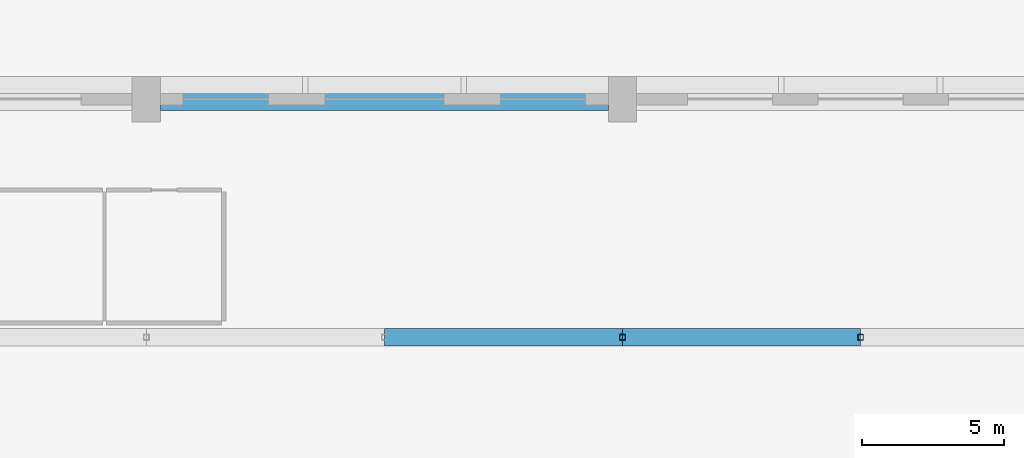
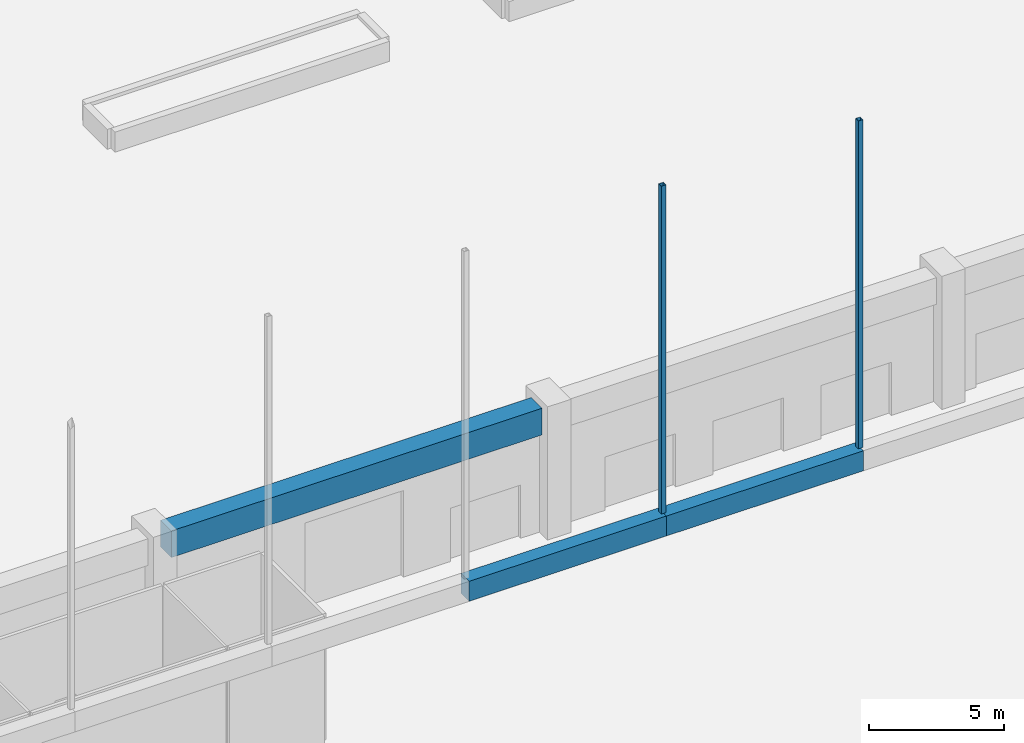
# One storey, part 62 of 210: 3 beams, 2 members.
"""IFC4 building model written with IfcOpenShell, lengths in metres."""

from ifc_helpers import new_model, si_unit, direction, frame, origin, origin_2d, place, context, subcontext, project, spatial, rectangle, hollow_rectangle, extrude, material, material_profile, profile_set, type_object, element, save


model = new_model("IFC4")

# Units and contexts
model_context = context("Model", 3, precision=1e-05, world=origin(), true_north=direction((0.0, 1.0)))
body_context = subcontext(model_context, "Body", "Model", "MODEL_VIEW")
ifc_project = project(units=[si_unit("LENGTHUNIT", "METRE"), si_unit("AREAUNIT", "SQUARE_METRE"), si_unit("VOLUMEUNIT", "CUBIC_METRE"), si_unit("PLANEANGLEUNIT", "RADIAN"), si_unit("MASSUNIT", "GRAM", prefix="KILO")], contexts=[model_context])

# Site, building, storey
site_placement = place(None, origin())
site = spatial("IfcSite", under=ifc_project, at=site_placement, CompositionType="ELEMENT")
building_placement = place(site_placement, origin())
building = spatial("IfcBuilding", under=site, at=building_placement, Name="Rain Tree Exposition and Congress Centre", CompositionType="ELEMENT")
storey_placement = place(building_placement, origin())
storey = spatial("IfcBuildingStorey", under=building, at=storey_placement, Name="L00", CompositionType="ELEMENT", Elevation=0.0)

# Beams
ifc_material_1 = material(Name="Precast concrete C50/60", Category="concrete")
ifc_material_profile_1 = material_profile(ifc_material_1, rectangle(XDim=0.60009765625, YDim=0.89990234375, at=origin_2d()), Name="RC 600x900")
ifc_profile_set_1 = profile_set([ifc_material_profile_1], Name="Precast concrete C50/60")
beam_type_1 = type_object("IfcBeamType", Name="Precast beam 600x900", PredefinedType="BEAM", material=ifc_profile_set_1)
beam_1_placement = place(storey_placement, frame((67.199951171875, 193.199951171875, 5.25), z_axis=(1.0, 0.0, 0.0), x_axis=(0.0, 1.0, 0.0)))
element("IfcBeam", 1, at=beam_1_placement, inside=storey, type_object=beam_type_1, Name="Gallery edge beam 30", PredefinedType="BEAM", context=body_context, shape_type="SweptSolid", body=[
    extrude(rectangle(XDim=0.60009765625, YDim=0.89990234375, at=origin_2d()), origin(), (0.0, 0.0, 1.0), 8.400146484375),
])
beam_2_placement = place(storey_placement, frame((75.60009765625, 193.199951171875, 5.25), z_axis=(1.0, 0.0, 0.0), x_axis=(0.0, 1.0, 0.0)))
element("IfcBeam", 2, at=beam_2_placement, inside=storey, type_object=beam_type_1, Name="Gallery edge beam 31", PredefinedType="BEAM", context=body_context, shape_type="SweptSolid", body=[
    extrude(rectangle(XDim=0.60009765625, YDim=0.89990234375, at=origin_2d()), origin(), (0.0, 0.0, 1.0), 8.39990234375),
])
ifc_material_2 = material(Name="Precast concrete C50/60", Category="concrete")
ifc_material_profile_2 = material_profile(ifc_material_2, rectangle(XDim=0.800048828125, YDim=1.199951171875, at=origin_2d()), Name="RC 800x1200")
ifc_profile_set_2 = profile_set([ifc_material_profile_2], Name="Precast concrete C50/60")
beam_type_2 = type_object("IfcBeamType", Name="Precast beam 800x1200", PredefinedType="BEAM", material=ifc_profile_set_2)
beam_3_placement = place(storey_placement, frame((59.300048828125, 201.60009765625, 5.10009765625), z_axis=(1.0, 0.0, 0.0), x_axis=(0.0, 1.0, 0.0)))
element("IfcBeam", 3, at=beam_3_placement, inside=storey, type_object=beam_type_2, Name="Gallery perimeter beam 11", PredefinedType="BEAM", context=body_context, shape_type="SweptSolid", body=[
    extrude(rectangle(XDim=0.800048828125, YDim=1.199951171875, at=origin_2d()), origin(), (0.0, 0.0, 1.0), 15.800048828125),
])

# Members
ifc_material_3 = material(Name="Steel S355J2H", Category="steel")
ifc_material_profile_3 = material_profile(ifc_material_3, hollow_rectangle(XDim=0.199951171875, YDim=0.199951171875, WallThickness=0.009033203125, at=origin_2d()), Name="RHS 200x200x9")
ifc_profile_set_3 = profile_set([ifc_material_profile_3], Name="Steel S355J2H")
member_type = type_object("IfcMemberType", Name="Steel member member RHS 200x200x9", PredefinedType="MEMBER", material=ifc_profile_set_3)
for number, where, z_axis, x_axis, name in (
    (4, (75.60009765625, 193.199951171875, 5.699951171875), (0.0, 0.0, 1.0), (1.0, 0.0, 0.0), "Gallery hanger 42"),
    (5, (84.0, 193.199951171875, 5.699951171875), (0.0, 0.0, 1.0), (1.0, 0.0, 0.0), "Gallery hanger 43"),
):
    element("IfcMember", number, at=place(storey_placement, frame(where, z_axis=z_axis, x_axis=x_axis)), inside=storey, type_object=member_type, Name=name, PredefinedType="MEMBER", context=body_context, shape_type="SweptSolid", body=[
        extrude(hollow_rectangle(XDim=0.199951171875, YDim=0.199951171875, WallThickness=0.009033203125, at=origin_2d()), origin(), (0.0, 0.0, 1.0), 14.766845703125),
    ])

save(model, "model.ifc")
